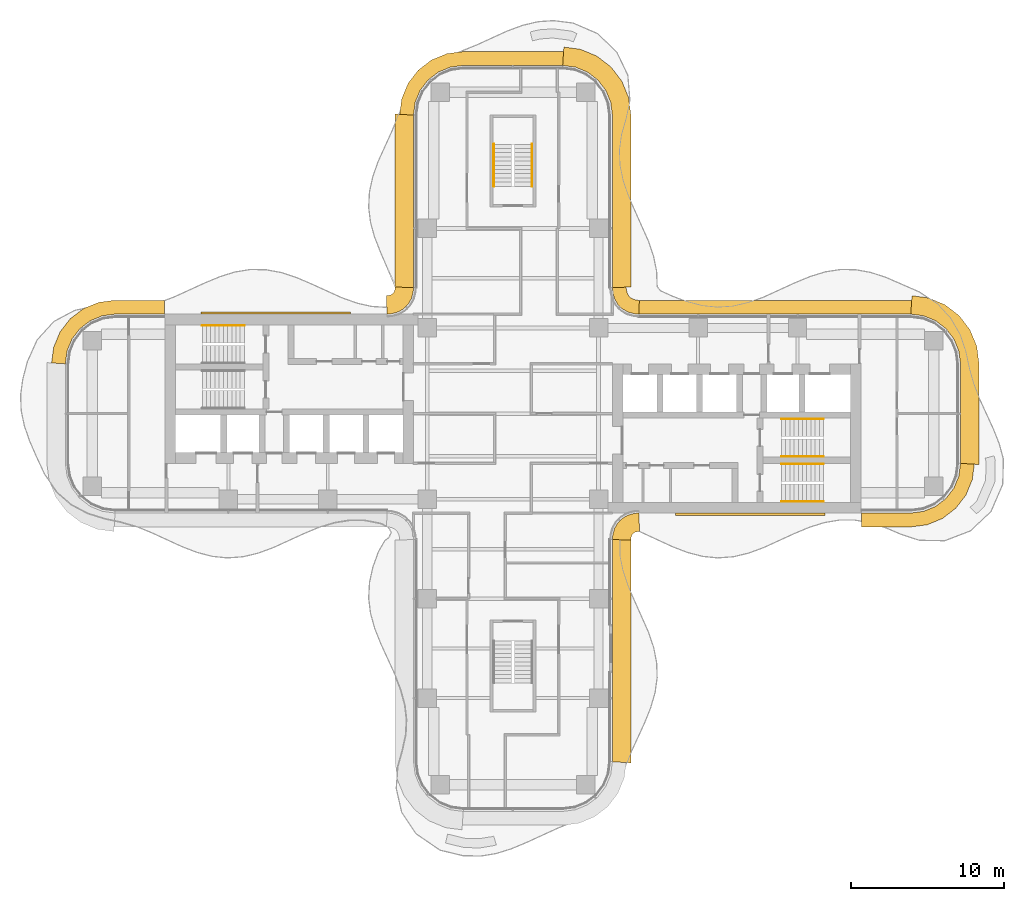
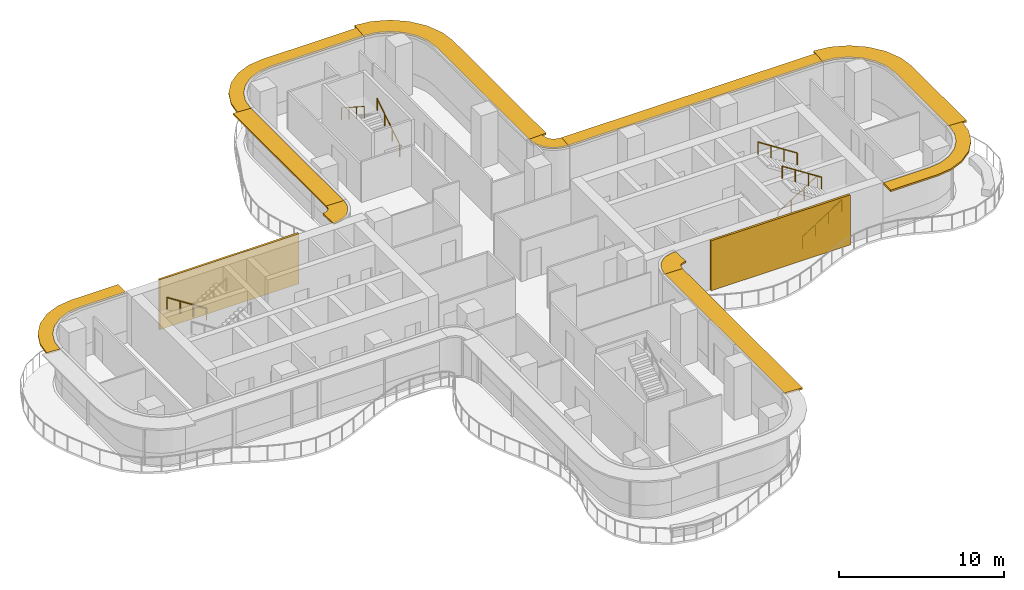
# One storey, part 18 of 18: 11 shading devices, 7 railings, 2 coverings.
"""IFC4 building model written with IfcOpenShell, lengths in metres."""

from ifc_helpers import new_model, si_unit, direction, frame, origin, origin_2d, place, context, subcontext, project, spatial, polyline, circle, outline, extrude, source, transform, mapped, material, layer, layer_set, type_object, element, save


model = new_model("IFC4")

# Units and contexts
model_context = context("Model", 3, precision=1e-05, world=origin(), true_north=direction((0.0, 1.0)))
body_context = subcontext(model_context, "Body", "Model", "MODEL_VIEW")
ifc_project = project(units=[si_unit("LENGTHUNIT", "METRE"), si_unit("AREAUNIT", "SQUARE_METRE"), si_unit("VOLUMEUNIT", "CUBIC_METRE"), si_unit("PLANEANGLEUNIT", "RADIAN"), si_unit("MASSUNIT", "GRAM", prefix="KILO")], contexts=[model_context])

# Site, building, storey
site_placement = place(None, origin())
site = spatial("IfcSite", under=ifc_project, at=site_placement, CompositionType="ELEMENT")
building_placement = place(site_placement, origin())
building = spatial("IfcBuilding", under=site, at=building_placement, Name="Trellis Farm Tower", CompositionType="ELEMENT")
storey_placement = place(building_placement, frame((0.0, 0.0, 193.199951171875)))
storey = spatial("IfcBuildingStorey", under=building, at=storey_placement, Name="L42", CompositionType="ELEMENT", Elevation=193.199951171875)

# Railings
ifc_material_1 = material(Name="Stainless steel", Category="steel")
railing_type = type_object("IfcRailingType", Name="STAIR HANDRAIL 900", PredefinedType="HANDRAIL", material=ifc_material_1)
shared_shape_1 = source(origin(), body_context, "Body", "SweptSolid", [
    extrude(circle(Radius=0.02392578125, at=origin_2d()), frame((0.0, 0.0, 0.8759765625), z_axis=(0.0, 0.840503830235, 0.541805602924), x_axis=(-1.0, 0.0, 0.0)), (0.0, 0.0, 1.0), 3.271728515625),
    extrude(circle(Radius=0.02099609375, at=origin_2d()), origin(), (0.0, 0.0, 1.0), 0.851806640625),
    extrude(circle(Radius=0.02099609375, at=origin_2d()), frame((0.0, 0.916748046875, 0.5908203125)), (0.0, 0.0, 1.0), 0.851806640625),
    extrude(circle(Radius=0.02099609375, at=origin_2d()), frame((0.0, 1.833251953125, 1.181884765625)), (0.0, 0.0, 1.0), 0.851806640625),
    extrude(circle(Radius=0.02099609375, at=origin_2d()), frame((0.0, 2.75, 1.772705078125)), (0.0, 0.0, 1.0), 0.851806640625),
])
railing_1_placement = place(storey_placement, frame((1.25, 14.85009765625, 0.17724609375)))
element("IfcRailing", 1, at=railing_1_placement, inside=storey, type_object=railing_type, Name="Stair handrail", PredefinedType="HANDRAIL", context=body_context, shape_type="MappedRepresentation", body=[
    mapped(shared_shape_1, transform((0.0, 0.0, 0.0))),
])
shared_shape_2 = source(origin(), body_context, "Body", "SweptSolid", [
    extrude(circle(Radius=0.02392578125, at=origin_2d()), frame((0.0, 0.0, 0.8759765625), z_axis=(0.0, -0.840503830235, 0.541805602924), x_axis=(1.0, 0.0, 0.0)), (0.0, 0.0, 1.0), 3.271728515625),
    extrude(circle(Radius=0.02099609375, at=origin_2d()), origin(), (0.0, 0.0, 1.0), 0.851806640625),
    extrude(circle(Radius=0.02099609375, at=origin_2d()), frame((0.0, -0.916748046875, 0.5908203125)), (0.0, 0.0, 1.0), 0.851806640625),
    extrude(circle(Radius=0.02099609375, at=origin_2d()), frame((0.0, -1.833251953125, 1.181884765625)), (0.0, 0.0, 1.0), 0.851806640625),
    extrude(circle(Radius=0.02099609375, at=origin_2d()), frame((0.0, -2.75, 1.772705078125)), (0.0, 0.0, 1.0), 0.851806640625),
])
railing_2_placement = place(storey_placement, frame((-1.25, 17.60009765625, 2.12744140625)))
element("IfcRailing", 2, at=railing_2_placement, inside=storey, type_object=railing_type, Name="Stair handrail", PredefinedType="HANDRAIL", context=body_context, shape_type="MappedRepresentation", body=[
    mapped(shared_shape_2, transform((0.0, 0.0, 0.0))),
])
shared_shape_3 = source(origin(), body_context, "Body", "SweptSolid", [
    extrude(circle(Radius=0.02392578125, at=origin_2d()), frame((0.0, 0.0, 0.8759765625), z_axis=(0.840503830235, 0.0, 0.541805602924), x_axis=(0.0, 1.0, 0.0)), (0.0, 0.0, 1.0), 3.271728515625),
    extrude(circle(Radius=0.02099609375, at=origin_2d()), origin(), (0.0, 0.0, 1.0), 0.851806640625),
    extrude(circle(Radius=0.02099609375, at=origin_2d()), frame((0.916748046875, 0.0, 0.5908203125)), (0.0, 0.0, 1.0), 0.851806640625),
    extrude(circle(Radius=0.02099609375, at=origin_2d()), frame((1.833251953125, 0.0, 1.181884765625)), (0.0, 0.0, 1.0), 0.851806640625),
    extrude(circle(Radius=0.02099609375, at=origin_2d()), frame((2.75, 0.0, 1.772705078125)), (0.0, 0.0, 1.0), 0.851806640625),
])
for number, where, name in (
    (3, (17.550048828125, -5.75, 0.17724609375), "Stair handrail"),
    (4, (17.550048828125, -2.800048828125, 0.17724609375), "Stair handrail"),
):
    element("IfcRailing", number, at=place(storey_placement, frame(where)), inside=storey, type_object=railing_type, Name=name, PredefinedType="HANDRAIL", context=body_context, shape_type="MappedRepresentation", body=[
        mapped(shared_shape_3, transform((0.0, 0.0, 0.0))),
    ])
shared_shape_4 = source(origin(), body_context, "Body", "SweptSolid", [
    extrude(circle(Radius=0.02392578125, at=origin_2d()), frame((0.0, 0.0, 0.8759765625), z_axis=(-0.840503830235, 0.0, 0.541805602924), x_axis=(0.0, -1.0, 0.0)), (0.0, 0.0, 1.0), 3.271728515625),
    extrude(circle(Radius=0.02099609375, at=origin_2d()), origin(), (0.0, 0.0, 1.0), 0.851806640625),
    extrude(circle(Radius=0.02099609375, at=origin_2d()), frame((-0.916748046875, 0.0, 0.5908203125)), (0.0, 0.0, 1.0), 0.851806640625),
    extrude(circle(Radius=0.02099609375, at=origin_2d()), frame((-1.833251953125, 0.0, 1.181884765625)), (0.0, 0.0, 1.0), 0.851806640625),
    extrude(circle(Radius=0.02099609375, at=origin_2d()), frame((-2.75, 0.0, 1.772705078125)), (0.0, 0.0, 1.0), 0.851806640625),
])
for number, where, name in (
    (5, (20.300048828125, -3.300048828125, 2.12744140625), "Stair handrail"),
    (6, (20.300048828125, -0.35009765625, 2.12744140625), "Stair handrail"),
    (7, (-17.550048828125, 5.75, 0.17724609375), "Stair handrail"),
):
    element("IfcRailing", number, at=place(storey_placement, frame(where)), inside=storey, type_object=railing_type, Name=name, PredefinedType="HANDRAIL", context=body_context, shape_type="MappedRepresentation", body=[
        mapped(shared_shape_4, transform((0.0, 0.0, 0.0))),
    ])

# Shading devices
ifc_material_2 = material(Name="Aluminium extrusion 6063-T6", Category="aluminium")
ifc_layer_1 = layer(ifc_material_2, 0.1201171875)
ifc_layer_set_1 = layer_set([ifc_layer_1], Name="SUNSHADE BLADE 1200")
shading_device_type_1 = type_object("IfcShadingDeviceType", Name="SUNSHADE BLADE 1200", PredefinedType="USERDEFINED", material=ifc_layer_set_1)
shared_shape_5 = source(origin(), body_context, "Body", "SweptSolid", [
    extrude(outline(polyline([(7.699951171875, -22.82861328125), (7.699951171875, -8.270751953125), (6.5, -8.2314453125), (6.5, -22.75), (7.699951171875, -22.82861328125)])), origin(), (0.0, 0.0, 1.0), 0.1201171875),
])
placement_1 = place(storey_placement, frame((0.0, 0.0, 3.5400390625)))
element("IfcShadingDevice", 8, at=placement_1, inside=storey, type_object=shading_device_type_1, Name="SD2 005", ObjectType="SUNSHADE", PredefinedType="USERDEFINED", context=body_context, shape_type="MappedRepresentation", body=[
    mapped(shared_shape_5, transform((0.0, 0.0, 0.0))),
])
shared_shape_6 = source(origin(), body_context, "Body", "SweptSolid", [
    extrude(outline(polyline([(7.699951171875, -8.270751953125), (7.708740234375, -8.13720703125), (7.70703125, -8.150146484375), (7.7548828125, -7.9716796875), (7.80712890625, -7.881103515625), (7.881103515625, -7.80712890625), (7.9716796875, -7.7548828125), (8.150146484375, -7.70703125), (8.13720703125, -7.708740234375), (8.270751953125, -7.699951171875), (8.2314453125, -6.5), (8.01953125, -6.513916015625), (7.91552734375, -6.527587890625), (7.508544921875, -6.63671875), (7.144287109375, -6.846923828125), (6.846923828125, -7.144287109375), (6.63671875, -7.508544921875), (6.527587890625, -7.91552734375), (6.513916015625, -8.01953125), (6.5, -8.2314453125), (7.699951171875, -8.270751953125)])), origin(), (0.0, 0.0, 1.0), 0.1201171875),
])
element("IfcShadingDevice", 9, at=placement_1, inside=storey, type_object=shading_device_type_1, Name="SD2 006", ObjectType="SUNSHADE", PredefinedType="USERDEFINED", context=body_context, shape_type="MappedRepresentation", body=[
    mapped(shared_shape_6, transform((0.0, 0.0, 0.0))),
])
ifc_layer_2 = layer(ifc_material_2, 0.1201171875)
ifc_layer_set_2 = layer_set([ifc_layer_2], Name="SUNSHADE BLADE 900")
shading_device_type_2 = type_object("IfcShadingDeviceType", Name="SUNSHADE BLADE 900", PredefinedType="USERDEFINED", material=ifc_layer_set_2)
shared_shape_7 = source(origin(), body_context, "Body", "SweptSolid", [
    extrude(outline(polyline([(22.780029296875, -7.39990234375), (26.05908203125, -7.39990234375), (27.076171875, -7.26611328125), (28.078857421875, -6.850830078125), (28.93994140625, -6.18994140625), (29.600830078125, -5.328857421875), (30.01611328125, -4.326171875), (30.14990234375, -3.30908203125), (29.25, -3.25), (29.13916015625, -4.091064453125), (28.814697265625, -4.875), (28.298095703125, -5.548095703125), (27.625, -6.064697265625), (26.841064453125, -6.38916015625), (26.0, -6.5), (22.780029296875, -6.5), (22.780029296875, -7.39990234375)])), origin(), (0.0, 0.0, 1.0), 0.1201171875),
])
element("IfcShadingDevice", 10, at=placement_1, inside=storey, type_object=shading_device_type_2, Name="SD1 007", ObjectType="SUNSHADE", PredefinedType="USERDEFINED", context=body_context, shape_type="MappedRepresentation", body=[
    mapped(shared_shape_7, transform((0.0, 0.0, 0.0))),
])
shared_shape_8 = source(origin(), body_context, "Body", "SweptSolid", [
    extrude(outline(polyline([(30.449951171875, -3.32861328125), (30.449951171875, 3.32861328125), (30.308349609375, 4.404541015625), (29.86279296875, 5.480224609375), (29.154052734375, 6.404052734375), (28.230224609375, 7.11279296875), (27.154541015625, 7.558349609375), (26.07861328125, 7.699951171875), (26.0, 6.5), (26.841064453125, 6.38916015625), (27.625, 6.064697265625), (28.298095703125, 5.548095703125), (28.814697265625, 4.875), (29.13916015625, 4.091064453125), (29.25, 3.25), (29.25, -3.25), (30.449951171875, -3.32861328125)])), origin(), (0.0, 0.0, 1.0), 0.1201171875),
])
element("IfcShadingDevice", 11, at=placement_1, inside=storey, type_object=shading_device_type_1, Name="SD2 008", ObjectType="SUNSHADE", PredefinedType="USERDEFINED", context=body_context, shape_type="MappedRepresentation", body=[
    mapped(shared_shape_8, transform((0.0, 0.0, 0.0))),
])
shared_shape_9 = source(origin(), body_context, "Body", "SweptSolid", [
    extrude(outline(polyline([(26.05908203125, 7.39990234375), (8.2607421875, 7.39990234375), (8.2314453125, 6.5), (26.0, 6.5), (26.05908203125, 7.39990234375)])), origin(), (0.0, 0.0, 1.0), 0.1201171875),
])
element("IfcShadingDevice", 12, at=placement_1, inside=storey, type_object=shading_device_type_2, Name="SD1 009", ObjectType="SUNSHADE", PredefinedType="USERDEFINED", context=body_context, shape_type="MappedRepresentation", body=[
    mapped(shared_shape_9, transform((0.0, 0.0, 0.0))),
])
shared_shape_10 = source(origin(), body_context, "Body", "SweptSolid", [
    extrude(outline(polyline([(8.2607421875, 7.39990234375), (8.107666015625, 7.409912109375), (8.091552734375, 7.412109375), (7.85595703125, 7.475341796875), (7.697021484375, 7.567138671875), (7.567138671875, 7.697021484375), (7.475341796875, 7.85595703125), (7.412109375, 8.091552734375), (7.409912109375, 8.107666015625), (7.39990234375, 8.2607421875), (6.5, 8.2314453125), (6.513916015625, 8.01953125), (6.527587890625, 7.91552734375), (6.63671875, 7.508544921875), (6.846923828125, 7.144287109375), (7.144287109375, 6.846923828125), (7.508544921875, 6.63671875), (7.91552734375, 6.527587890625), (8.01953125, 6.513916015625), (8.2314453125, 6.5), (8.2607421875, 7.39990234375)])), origin(), (0.0, 0.0, 1.0), 0.1201171875),
])
element("IfcShadingDevice", 13, at=placement_1, inside=storey, type_object=shading_device_type_2, Name="SD1 010", ObjectType="SUNSHADE", PredefinedType="USERDEFINED", context=body_context, shape_type="MappedRepresentation", body=[
    mapped(shared_shape_10, transform((0.0, 0.0, 0.0))),
])
shared_shape_11 = source(origin(), body_context, "Body", "SweptSolid", [
    extrude(outline(polyline([(-7.699951171875, 8.270751953125), (-7.708740234375, 8.13720703125), (-7.70703125, 8.150146484375), (-7.7548828125, 7.9716796875), (-7.80712890625, 7.881103515625), (-7.881103515625, 7.80712890625), (-7.9716796875, 7.7548828125), (-8.150146484375, 7.70703125), (-8.13720703125, 7.708740234375), (-8.270751953125, 7.699951171875), (-8.2314453125, 6.5), (-8.01953125, 6.513916015625), (-7.91552734375, 6.527587890625), (-7.508544921875, 6.63671875), (-7.144287109375, 6.846923828125), (-6.846923828125, 7.144287109375), (-6.63671875, 7.508544921875), (-6.527587890625, 7.91552734375), (-6.513916015625, 8.01953125), (-6.5, 8.2314453125), (-7.699951171875, 8.270751953125)])), origin(), (0.0, 0.0, 1.0), 0.1201171875),
])
element("IfcShadingDevice", 14, at=placement_1, inside=storey, type_object=shading_device_type_1, Name="SD2 014", ObjectType="SUNSHADE", PredefinedType="USERDEFINED", context=body_context, shape_type="MappedRepresentation", body=[
    mapped(shared_shape_11, transform((0.0, 0.0, 0.0))),
])

# Coverings
ifc_material_3 = material(Name="Perforated precast screen (cobogo)", Category="concrete")
ifc_layer_3 = layer(ifc_material_3, 0.14990234375)
ifc_layer_set_3 = layer_set([ifc_layer_3], Name="COBOGO SCREEN PANEL")
covering_type = type_object("IfcCoveringType", Name="COBOGO SCREEN PANEL", PredefinedType="USERDEFINED", material=ifc_layer_set_3)
shared_shape_12 = source(origin(), body_context, "Body", "SweptSolid", [
    extrude(outline(polyline([(10.630615234375, -6.64990234375), (20.380615234375, -6.64990234375), (20.380615234375, -6.5), (10.630615234375, -6.5), (10.630615234375, -6.64990234375)])), origin(), (0.0, 0.0, 1.0), 3.699951171875),
])
placement_2 = place(storey_placement, origin())
element("IfcCovering", 15, at=placement_2, inside=storey, type_object=covering_type, Name="SC1 01", ObjectType="SCREEN", PredefinedType="USERDEFINED", context=body_context, shape_type="MappedRepresentation", body=[
    mapped(shared_shape_12, transform((0.0, 0.0, 0.0))),
])
shared_shape_13 = source(origin(), body_context, "Body", "SweptSolid", [
    extrude(outline(polyline([(-10.630615234375, 6.64990234375), (-20.380615234375, 6.64990234375), (-20.380615234375, 6.5), (-10.630615234375, 6.5), (-10.630615234375, 6.64990234375)])), origin(), (0.0, 0.0, 1.0), 3.699951171875),
])
element("IfcCovering", 16, at=placement_2, inside=storey, type_object=covering_type, Name="SC1 02", ObjectType="SCREEN", PredefinedType="USERDEFINED", context=body_context, shape_type="MappedRepresentation", body=[
    mapped(shared_shape_13, transform((0.0, 0.0, 0.0))),
])

# Shading devices
shared_shape_14 = source(origin(), body_context, "Body", "SweptSolid", [
    extrude(outline(polyline([(-22.780029296875, 7.39990234375), (-26.05908203125, 7.39990234375), (-27.076171875, 7.26611328125), (-28.078857421875, 6.850830078125), (-28.93994140625, 6.18994140625), (-29.600830078125, 5.328857421875), (-30.01611328125, 4.326171875), (-30.14990234375, 3.30908203125), (-29.25, 3.25), (-29.13916015625, 4.091064453125), (-28.814697265625, 4.875), (-28.298095703125, 5.548095703125), (-27.625, 6.064697265625), (-26.841064453125, 6.38916015625), (-26.0, 6.5), (-22.780029296875, 6.5), (-22.780029296875, 7.39990234375)])), origin(), (0.0, 0.0, 1.0), 0.1201171875),
])
element("IfcShadingDevice", 17, at=placement_1, inside=storey, type_object=shading_device_type_2, Name="SD1 015", ObjectType="SUNSHADE", PredefinedType="USERDEFINED", context=body_context, shape_type="MappedRepresentation", body=[
    mapped(shared_shape_14, transform((0.0, 0.0, 0.0))),
])
shared_shape_15 = source(origin(), body_context, "Body", "SweptSolid", [
    extrude(outline(polyline([(7.699951171875, 8.270751953125), (7.699951171875, 19.57861328125), (7.558349609375, 20.654541015625), (7.11279296875, 21.730224609375), (6.404052734375, 22.654052734375), (5.480224609375, 23.36279296875), (4.404541015625, 23.808349609375), (3.32861328125, 23.949951171875), (3.25, 22.75), (4.091064453125, 22.63916015625), (4.875, 22.314697265625), (5.548095703125, 21.798095703125), (6.064697265625, 21.125), (6.38916015625, 20.341064453125), (6.5, 19.5), (6.5, 8.2314453125), (7.699951171875, 8.270751953125)])), origin(), (0.0, 0.0, 1.0), 0.1201171875),
])
element("IfcShadingDevice", 18, at=placement_1, inside=storey, type_object=shading_device_type_1, Name="SD2 011", ObjectType="SUNSHADE", PredefinedType="USERDEFINED", context=body_context, shape_type="MappedRepresentation", body=[
    mapped(shared_shape_15, transform((0.0, 0.0, 0.0))),
])
shared_shape_16 = source(origin(), body_context, "Body", "SweptSolid", [
    extrude(outline(polyline([(3.30908203125, 23.64990234375), (-3.30908203125, 23.64990234375), (-4.326171875, 23.51611328125), (-5.328857421875, 23.100830078125), (-6.18994140625, 22.43994140625), (-6.850830078125, 21.578857421875), (-7.26611328125, 20.576171875), (-7.39990234375, 19.55908203125), (-6.5, 19.5), (-6.38916015625, 20.341064453125), (-6.064697265625, 21.125), (-5.548095703125, 21.798095703125), (-4.875, 22.314697265625), (-4.091064453125, 22.63916015625), (-3.25, 22.75), (3.25, 22.75), (3.30908203125, 23.64990234375)])), origin(), (0.0, 0.0, 1.0), 0.1201171875),
])
element("IfcShadingDevice", 19, at=placement_1, inside=storey, type_object=shading_device_type_2, Name="SD1 012", ObjectType="SUNSHADE", PredefinedType="USERDEFINED", context=body_context, shape_type="MappedRepresentation", body=[
    mapped(shared_shape_16, transform((0.0, 0.0, 0.0))),
])
shared_shape_17 = source(origin(), body_context, "Body", "SweptSolid", [
    extrude(outline(polyline([(-7.699951171875, 19.57861328125), (-7.699951171875, 8.270751953125), (-6.5, 8.2314453125), (-6.5, 19.5), (-7.699951171875, 19.57861328125)])), origin(), (0.0, 0.0, 1.0), 0.1201171875),
])
element("IfcShadingDevice", 20, at=placement_1, inside=storey, type_object=shading_device_type_1, Name="SD2 013", ObjectType="SUNSHADE", PredefinedType="USERDEFINED", context=body_context, shape_type="MappedRepresentation", body=[
    mapped(shared_shape_17, transform((0.0, 0.0, 0.0))),
])

save(model, "model.ifc")
